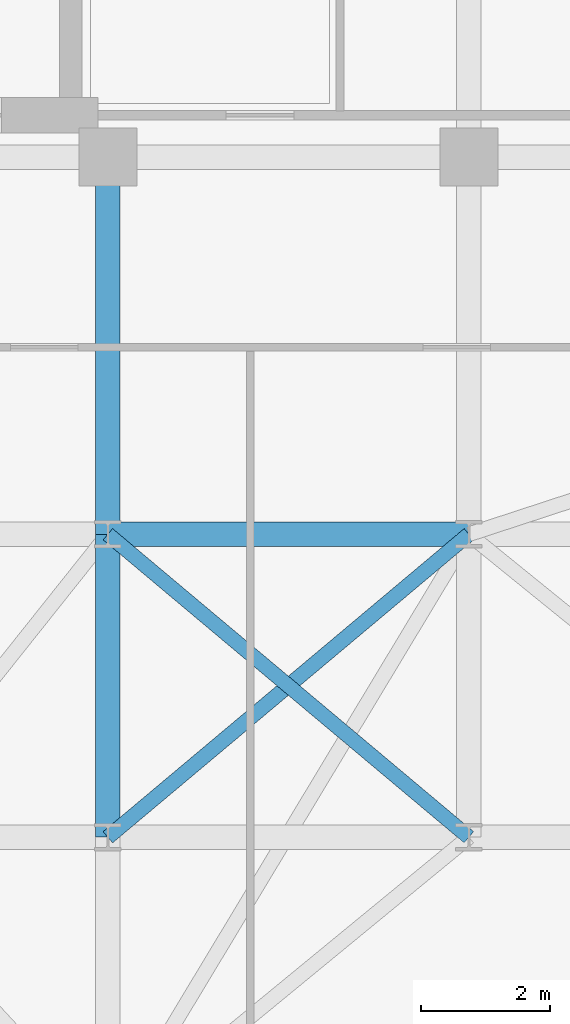
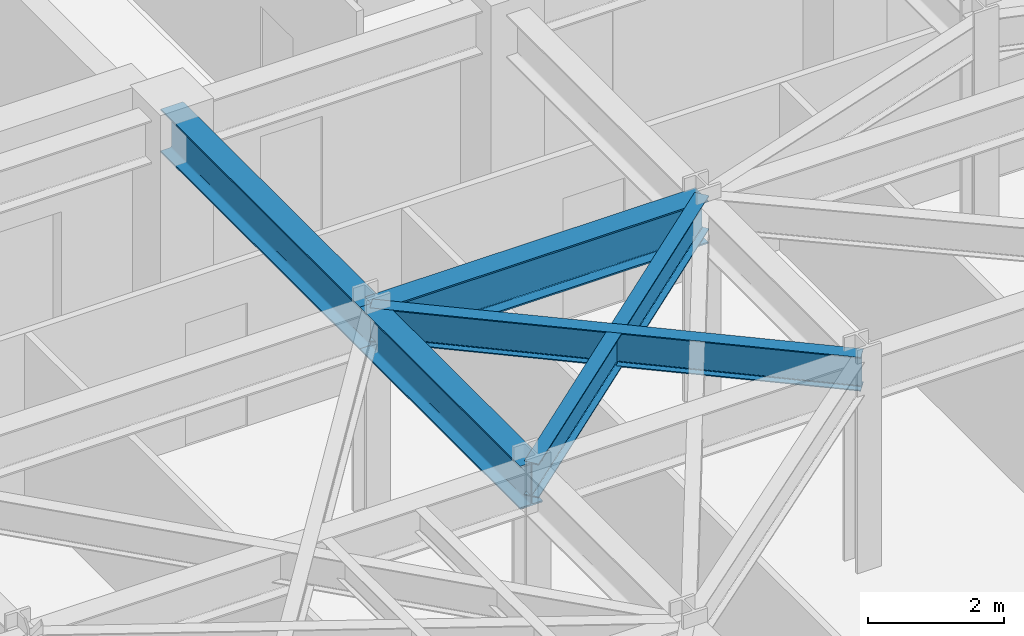
# One storey, part 11 of 27: 5 beams.
"""IFC4 building model written with IfcOpenShell, lengths in metres."""

import ifcopenshell
import ifcopenshell.guid

model = None  # the IFC model being written
_history = None  # IfcOwnerHistory: only IFC2X3 demands one
_inside = {}  # id of a spatial element -> (the spatial element, [elements in it])
_under = {}  # id of a project, library or spatial element -> (it, [spatial elements below it])
_declared = {}  # id of a project -> (the project, [libraries it declares])
_typed = {}  # id of a type object -> (the type object, [elements of that type])
_made_of = {}  # id of a material, layer set ... -> (it, [elements and type objects made of it])


def new_model(schema):
    """Start an empty IFC model of exactly this schema.

    Asked for "IFC4X3", IfcOpenShell would pick the latest addendum, in which some entities
    have other attributes; the version numbers below select the first issue.
    IFC2X3 requires an IfcOwnerHistory on every rooted entity: one is made here for all.
    """
    global model, _history
    if schema == "IFC4X3":
        model = ifcopenshell.file(schema_version=(4, 3, 0, 0))
    else:
        model = ifcopenshell.file(schema=schema)
    _inside.clear()
    _under.clear()
    _declared.clear()
    _typed.clear()
    _made_of.clear()
    _history = None
    if model.schema == "IFC2X3":
        org = make("IfcOrganization", Name="unknown")
        user = make(
            "IfcPersonAndOrganization",
            ThePerson=make("IfcPerson", FamilyName="unknown"),
            TheOrganization=org,
        )
        app = make(
            "IfcApplication",
            ApplicationDeveloper=org,
            Version="unknown",
            ApplicationFullName="unknown",
            ApplicationIdentifier="unknown",
        )
        _history = make(
            "IfcOwnerHistory",
            OwningUser=user,
            OwningApplication=app,
            ChangeAction="ADDED",
            CreationDate=0,
        )
    return model


def make(cls, **values):
    """One entity of the class cls with the attributes given. An attribute that is None is left unset."""
    return model.create_entity(
        cls, **{name: value for name, value in values.items() if value is not None}
    )


def rooted(cls, **values):
    """An entity with a GlobalId (a new one), such as an element, a storey or a relation."""
    return make(cls, GlobalId=ifcopenshell.guid.new(), OwnerHistory=_history, **values)


def si_unit(unit_type, name, prefix=None):
    """IfcSIUnit, for example si_unit("LENGTHUNIT", "METRE", prefix="MILLI")."""
    return make("IfcSIUnit", UnitType=unit_type, Prefix=prefix, Name=name)


def assignment(units):
    """IfcUnitAssignment: the units of a project."""
    return None if units is None else make("IfcUnitAssignment", Units=units)


def point(xyz):
    """IfcCartesianPoint."""
    return None if xyz is None else make("IfcCartesianPoint", Coordinates=xyz)


def direction(xyz):
    """IfcDirection."""
    return None if xyz is None else make("IfcDirection", DirectionRatios=xyz)


def frame(location, z_axis=None, x_axis=None):
    """IfcAxis2Placement3D, a coordinate frame: its origin and axes. An axis left out is left unset."""
    return make(
        "IfcAxis2Placement3D",
        Location=point(location),
        Axis=direction(z_axis),
        RefDirection=direction(x_axis),
    )


def frame_2d(location, x_axis=None):
    """IfcAxis2Placement2D, a coordinate frame in the plane: its origin and x axis."""
    return make(
        "IfcAxis2Placement2D", Location=point(location), RefDirection=direction(x_axis)
    )


def origin():
    """The frame at (0, 0, 0) with its axes left unset."""
    return frame((0.0, 0.0, 0.0))


def origin_2d():
    """The frame at (0, 0) in the plane with its x axis left unset."""
    return frame_2d((0.0, 0.0))


def place(relative_to, where):
    """IfcLocalPlacement: puts the frame where relative to a parent placement (None: the world)."""
    return make(
        "IfcLocalPlacement", PlacementRelTo=relative_to, RelativePlacement=where
    )


def context(
    kind, dimensions, precision=None, world=None, true_north=None, identifier=None
):
    """IfcGeometricRepresentationContext, for example the 3D "Model" context."""
    return make(
        "IfcGeometricRepresentationContext",
        ContextIdentifier=identifier,
        ContextType=kind,
        CoordinateSpaceDimension=dimensions,
        Precision=precision,
        WorldCoordinateSystem=world,
        TrueNorth=true_north,
    )


def subcontext(parent, identifier, kind, view, scale=None):
    """IfcGeometricRepresentationSubContext, for example "Body" below "Model"."""
    return make(
        "IfcGeometricRepresentationSubContext",
        ContextIdentifier=identifier,
        ContextType=kind,
        ParentContext=parent,
        TargetScale=scale,
        TargetView=view,
    )


def project(units=None, contexts=None):
    """IfcProject with its units and contexts."""
    return rooted(
        "IfcProject",
        Name="project",
        RepresentationContexts=contexts,
        UnitsInContext=assignment(units),
    )


def spatial(cls, under=None, at=None, **own):
    """A site, building, storey or space (cls), placed at a placement, below another one or the project."""
    s = rooted(cls, ObjectPlacement=at, **own)
    if under is not None:
        _under.setdefault(under.id(), (under, []))[1].append(s)
    return s


def profile(cls, at=None, kind="AREA", **sizes):
    """A parametric profile (cls). Its sizes go by their IFC names, for example OverallWidth=200.0."""
    return make(cls, ProfileType=kind, Position=at, **sizes)


def i_section(**sizes):
    """IfcIShapeProfileDef."""
    return profile("IfcIShapeProfileDef", **sizes)


def extrude(swept, where, along, depth):
    """IfcExtrudedAreaSolid: the profile swept, set in the frame where, extruded along a direction by depth."""
    return make(
        "IfcExtrudedAreaSolid",
        SweptArea=swept,
        Position=where,
        ExtrudedDirection=direction(along),
        Depth=depth,
    )


def shape(context_of_items, identifier, shape_type, items):
    """IfcShapeRepresentation: the items that make up one representation, for example the "Body"."""
    return make(
        "IfcShapeRepresentation",
        ContextOfItems=context_of_items,
        RepresentationIdentifier=identifier,
        RepresentationType=shape_type,
        Items=items,
    )


def material(Name=None, Category=None):
    """IfcMaterial."""
    return make("IfcMaterial", Name=Name, Category=Category)


def material_profile(
    of_material, cross_section, Name=None, Category=None, Priority=None
):
    """IfcMaterialProfile: a cross section and its material."""
    return make(
        "IfcMaterialProfile",
        Name=Name,
        Material=of_material,
        Profile=cross_section,
        Priority=Priority,
        Category=Category,
    )


def profile_set(profiles, Name=None, composite=None):
    """IfcMaterialProfileSet."""
    return make(
        "IfcMaterialProfileSet",
        Name=Name,
        MaterialProfiles=profiles,
        CompositeProfile=composite,
    )


def made_of(thing, what):
    """Note that an element or type object is made of a material, layer set ...; save() writes the relation."""
    if what is not None:
        _made_of.setdefault(what.id(), (what, []))[1].append(thing)
    return thing


def type_object(cls, material=None, **own):
    """A type object (cls), such as IfcWallType, which elements share."""
    return made_of(rooted(cls, **own), material)


def element(
    cls,
    number,
    at=None,
    inside=None,
    cuts=None,
    type_object=None,
    material=None,
    context=None,
    identifier="Body",
    shape_type=None,
    held_by="IfcProductDefinitionShape",
    body=None,
    shapes=None,
    **own,
):
    """One element of the class cls, such as IfcWall. Its Tag is "e" and its number.

    at: its placement. inside: the storey or other place that contains it. cuts: it is an
    opening in that element (IfcRelVoidsElement). A single representation is given by context,
    identifier, shape_type and body (its items); several are given by shapes. held_by: the class
    of the entity that holds the representations. save() writes the other relations.
    """
    e = rooted(cls, Tag="e%d" % number, ObjectPlacement=at, **own)
    if body is not None:
        shapes = [shape(context, identifier, shape_type, body)]
    if shapes is not None:
        e.Representation = make(held_by, Representations=shapes)
    if inside is not None:
        _inside.setdefault(inside.id(), (inside, []))[1].append(e)
    if cuts is not None:
        rooted(
            "IfcRelVoidsElement", RelatingBuildingElement=cuts, RelatedOpeningElement=e
        )
    if type_object is not None:
        _typed.setdefault(type_object.id(), (type_object, []))[1].append(e)
    return made_of(e, material)


def aggregate(whole, parts):
    """IfcRelAggregates: a whole, such as a stair, and the parts it consists of."""
    return rooted("IfcRelAggregates", RelatingObject=whole, RelatedObjects=parts)


def save(model, path):
    """Write the relations noted so far, then the file.

    IfcRelAggregates (storeys below a building ...), IfcRelContainedInSpatialStructure (elements
    in a storey), IfcRelDefinesByType, IfcRelAssociatesMaterial and IfcRelDeclares: one each for
    every whole, place, type object, material and project.
    """
    for whole, parts in _under.values():
        aggregate(whole, parts)
    for where, things in _inside.values():
        rooted(
            "IfcRelContainedInSpatialStructure",
            RelatedElements=things,
            RelatingStructure=where,
        )
    for kind, things in _typed.values():
        rooted("IfcRelDefinesByType", RelatedObjects=things, RelatingType=kind)
    for what, things in _made_of.values():
        rooted("IfcRelAssociatesMaterial", RelatedObjects=things, RelatingMaterial=what)
    for by, libraries in _declared.values():
        rooted("IfcRelDeclares", RelatingContext=by, RelatedDefinitions=libraries)
    model.write(path)


model = new_model("IFC4")

# Units and contexts
model_context = context("Model", 3, precision=1e-05, world=origin(), true_north=direction((0.0, 1.0)))
body_context = subcontext(model_context, "Body", "Model", "MODEL_VIEW")
ifc_project = project(units=[si_unit("LENGTHUNIT", "METRE"), si_unit("AREAUNIT", "SQUARE_METRE"), si_unit("VOLUMEUNIT", "CUBIC_METRE"), si_unit("PLANEANGLEUNIT", "RADIAN"), si_unit("MASSUNIT", "GRAM", prefix="KILO")], contexts=[model_context])

# Site, building, storey
site_placement = place(None, origin())
site = spatial("IfcSite", under=ifc_project, at=site_placement, CompositionType="ELEMENT")
building_placement = place(site_placement, origin())
building = spatial("IfcBuilding", under=site, at=building_placement, Name="Kravanh Interchange Tower", CompositionType="ELEMENT")
storey_placement = place(building_placement, frame((0.0, 0.0, 164.5)))
storey = spatial("IfcBuildingStorey", under=building, at=storey_placement, Name="L39", CompositionType="ELEMENT", Elevation=164.5)

# Beams
ifc_material_1 = material(Name="Structural Steel S355", Category="steel")
ifc_material_profile_1 = material_profile(ifc_material_1, i_section(OverallWidth=0.381103515625, OverallDepth=0.77294921875, WebThickness=0.0166015625, FlangeThickness=0.027099609375, FilletRadius=0.02490234375, at=origin_2d()), Name="W30X173")
ifc_profile_set_1 = profile_set([ifc_material_profile_1], Name="Structural Steel S355")
beam_type_1 = type_object("IfcBeamType", Name="Floor Beam W30X173 Structural Steel S355", PredefinedType="BEAM", material=ifc_profile_set_1)
beam_1_placement = place(storey_placement, frame((27.199951171875, 37.35009765625, 3.368408203125), z_axis=(0.0, -1.0, 0.0), x_axis=(1.0, 0.0, 0.0)))
element("IfcBeam", 1, at=beam_1_placement, inside=storey, type_object=beam_type_1, Name="L39 Primary Floor Girder 24", PredefinedType="BEAM", context=body_context, shape_type="SweptSolid", body=[
    extrude(i_section(OverallWidth=0.381103515625, OverallDepth=0.77294921875, WebThickness=0.0166015625, FlangeThickness=0.027099609375, FilletRadius=0.02490234375, at=origin_2d()), origin(), (0.0, 0.0, 1.0), 5.85009765625),
])
beam_2_placement = place(storey_placement, frame((27.199951171875, 26.800048828125, 3.368408203125), z_axis=(0.0, 1.0, 0.0), x_axis=(-1.0, 0.0, 0.0)))
element("IfcBeam", 2, at=beam_2_placement, inside=storey, type_object=beam_type_1, Name="L39 Primary Floor Girder 38", PredefinedType="BEAM", context=body_context, shape_type="SweptSolid", body=[
    extrude(i_section(OverallWidth=0.381103515625, OverallDepth=0.77294921875, WebThickness=0.0166015625, FlangeThickness=0.027099609375, FilletRadius=0.02490234375, at=origin_2d()), origin(), (0.0, 0.0, 1.0), 4.699951171875),
])
beam_3_placement = place(storey_placement, frame((27.199951171875, 31.5, 3.368408203125), z_axis=(1.0, 0.0, 0.0), x_axis=(0.0, 1.0, 0.0)))
element("IfcBeam", 3, at=beam_3_placement, inside=storey, type_object=beam_type_1, Name="L39 Primary Floor Girder 64", PredefinedType="BEAM", context=body_context, shape_type="SweptSolid", body=[
    extrude(i_section(OverallWidth=0.381103515625, OverallDepth=0.77294921875, WebThickness=0.0166015625, FlangeThickness=0.027099609375, FilletRadius=0.02490234375, at=origin_2d()), origin(), (0.0, 0.0, 1.0), 5.60009765625),
])
ifc_material_2 = material(Name="Structural Steel S355", Category="steel")
ifc_material_profile_2 = material_profile(ifc_material_2, i_section(OverallWidth=0.22802734375, OverallDepth=0.60791015625, WebThickness=0.01123046875, FlangeThickness=0.017333984375, FilletRadius=0.02197265625, at=origin_2d()), Name="W24X76")
ifc_profile_set_2 = profile_set([ifc_material_profile_2], Name="Structural Steel S355")
beam_type_2 = type_object("IfcBeamType", Name="Floor Spandrel W24X76 Structural Steel S355", PredefinedType="SPANDREL", material=ifc_profile_set_2)
for number, where, z_axis, x_axis, name in (
    (4, (27.199951171875, 26.800048828125, 3.450927734375), (0.765983062929, 0.642860752657, 0.0), (-0.642860752657, 0.765983062929, 0.0), "L39 Perimeter Spandrel 40"),
    (5, (32.800048828125, 26.800048828125, 3.450927734375), (-0.765983062929, 0.642860752657, 0.0), (-0.642860752657, -0.765983062929, 0.0), "L39 Perimeter Spandrel 44"),
):
    element("IfcBeam", number, at=place(storey_placement, frame(where, z_axis=z_axis, x_axis=x_axis)), inside=storey, type_object=beam_type_2, Name=name, PredefinedType="SPANDREL", context=body_context, shape_type="SweptSolid", body=[
        extrude(i_section(OverallWidth=0.22802734375, OverallDepth=0.60791015625, WebThickness=0.01123046875, FlangeThickness=0.017333984375, FilletRadius=0.02197265625, at=origin_2d()), origin(), (0.0, 0.0, 1.0), 7.31103515625),
    ])

save(model, "model.ifc")
